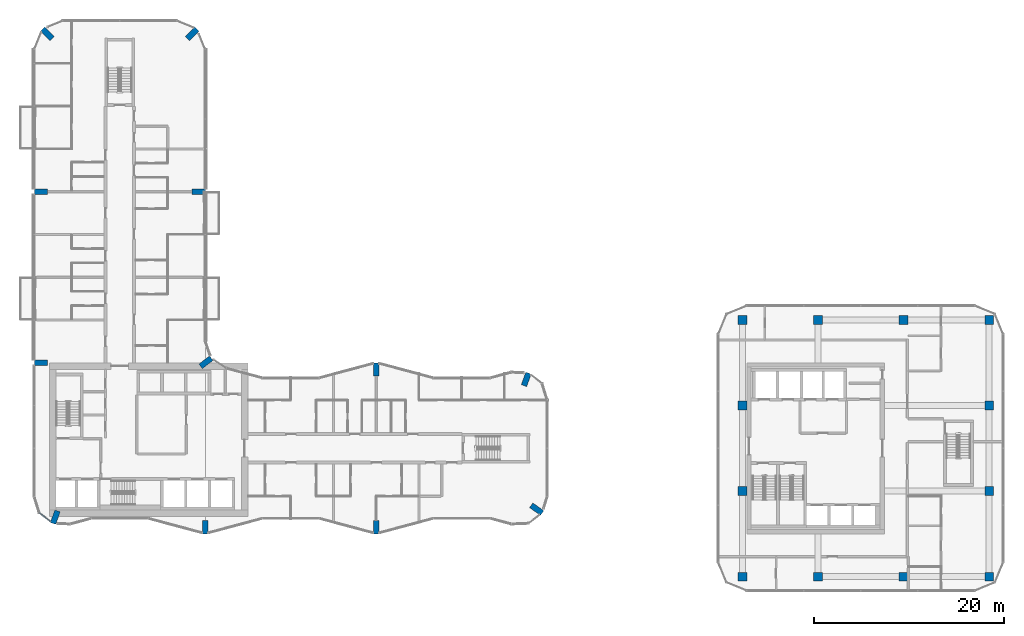
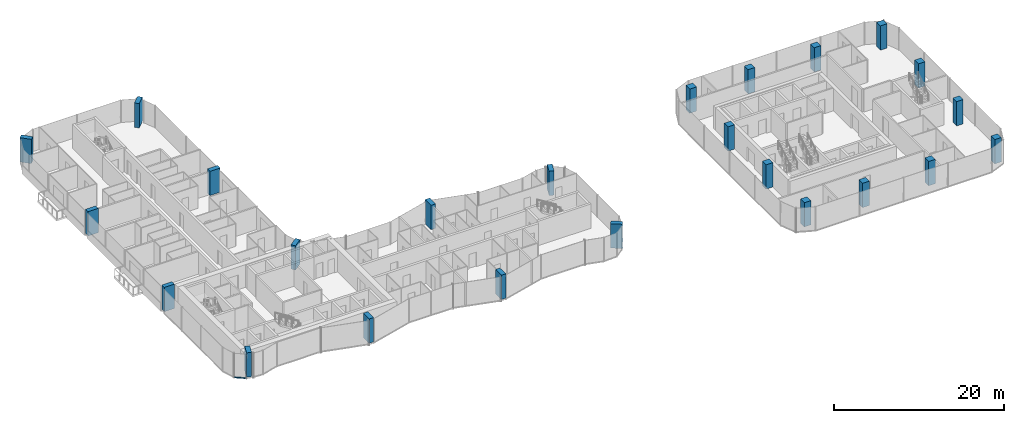
# One storey, part 1 of 23: 24 columns, 1 member, 1 element without a shape of its own.
"""IFC4 building model written with IfcOpenShell, lengths in metres."""

import ifcopenshell
import ifcopenshell.guid

model = None  # the IFC model being written
_history = None  # IfcOwnerHistory: only IFC2X3 demands one
_inside = {}  # id of a spatial element -> (the spatial element, [elements in it])
_under = {}  # id of a project, library or spatial element -> (it, [spatial elements below it])
_declared = {}  # id of a project -> (the project, [libraries it declares])
_typed = {}  # id of a type object -> (the type object, [elements of that type])
_made_of = {}  # id of a material, layer set ... -> (it, [elements and type objects made of it])


def new_model(schema):
    """Start an empty IFC model of exactly this schema.

    Asked for "IFC4X3", IfcOpenShell would pick the latest addendum, in which some entities
    have other attributes; the version numbers below select the first issue.
    IFC2X3 requires an IfcOwnerHistory on every rooted entity: one is made here for all.
    """
    global model, _history
    if schema == "IFC4X3":
        model = ifcopenshell.file(schema_version=(4, 3, 0, 0))
    else:
        model = ifcopenshell.file(schema=schema)
    _inside.clear()
    _under.clear()
    _declared.clear()
    _typed.clear()
    _made_of.clear()
    _history = None
    if model.schema == "IFC2X3":
        org = make("IfcOrganization", Name="unknown")
        user = make(
            "IfcPersonAndOrganization",
            ThePerson=make("IfcPerson", FamilyName="unknown"),
            TheOrganization=org,
        )
        app = make(
            "IfcApplication",
            ApplicationDeveloper=org,
            Version="unknown",
            ApplicationFullName="unknown",
            ApplicationIdentifier="unknown",
        )
        _history = make(
            "IfcOwnerHistory",
            OwningUser=user,
            OwningApplication=app,
            ChangeAction="ADDED",
            CreationDate=0,
        )
    return model


def make(cls, **values):
    """One entity of the class cls with the attributes given. An attribute that is None is left unset."""
    return model.create_entity(
        cls, **{name: value for name, value in values.items() if value is not None}
    )


def rooted(cls, **values):
    """An entity with a GlobalId (a new one), such as an element, a storey or a relation."""
    return make(cls, GlobalId=ifcopenshell.guid.new(), OwnerHistory=_history, **values)


def si_unit(unit_type, name, prefix=None):
    """IfcSIUnit, for example si_unit("LENGTHUNIT", "METRE", prefix="MILLI")."""
    return make("IfcSIUnit", UnitType=unit_type, Prefix=prefix, Name=name)


def assignment(units):
    """IfcUnitAssignment: the units of a project."""
    return None if units is None else make("IfcUnitAssignment", Units=units)


def point(xyz):
    """IfcCartesianPoint."""
    return None if xyz is None else make("IfcCartesianPoint", Coordinates=xyz)


def direction(xyz):
    """IfcDirection."""
    return None if xyz is None else make("IfcDirection", DirectionRatios=xyz)


def frame(location, z_axis=None, x_axis=None):
    """IfcAxis2Placement3D, a coordinate frame: its origin and axes. An axis left out is left unset."""
    return make(
        "IfcAxis2Placement3D",
        Location=point(location),
        Axis=direction(z_axis),
        RefDirection=direction(x_axis),
    )


def frame_2d(location, x_axis=None):
    """IfcAxis2Placement2D, a coordinate frame in the plane: its origin and x axis."""
    return make(
        "IfcAxis2Placement2D", Location=point(location), RefDirection=direction(x_axis)
    )


def origin():
    """The frame at (0, 0, 0) with its axes left unset."""
    return frame((0.0, 0.0, 0.0))


def origin_2d():
    """The frame at (0, 0) in the plane with its x axis left unset."""
    return frame_2d((0.0, 0.0))


def place(relative_to, where):
    """IfcLocalPlacement: puts the frame where relative to a parent placement (None: the world)."""
    return make(
        "IfcLocalPlacement", PlacementRelTo=relative_to, RelativePlacement=where
    )


def context(
    kind, dimensions, precision=None, world=None, true_north=None, identifier=None
):
    """IfcGeometricRepresentationContext, for example the 3D "Model" context."""
    return make(
        "IfcGeometricRepresentationContext",
        ContextIdentifier=identifier,
        ContextType=kind,
        CoordinateSpaceDimension=dimensions,
        Precision=precision,
        WorldCoordinateSystem=world,
        TrueNorth=true_north,
    )


def subcontext(parent, identifier, kind, view, scale=None):
    """IfcGeometricRepresentationSubContext, for example "Body" below "Model"."""
    return make(
        "IfcGeometricRepresentationSubContext",
        ContextIdentifier=identifier,
        ContextType=kind,
        ParentContext=parent,
        TargetScale=scale,
        TargetView=view,
    )


def project(units=None, contexts=None):
    """IfcProject with its units and contexts."""
    return rooted(
        "IfcProject",
        Name="project",
        RepresentationContexts=contexts,
        UnitsInContext=assignment(units),
    )


def spatial(cls, under=None, at=None, **own):
    """A site, building, storey or space (cls), placed at a placement, below another one or the project."""
    s = rooted(cls, ObjectPlacement=at, **own)
    if under is not None:
        _under.setdefault(under.id(), (under, []))[1].append(s)
    return s


def profile(cls, at=None, kind="AREA", **sizes):
    """A parametric profile (cls). Its sizes go by their IFC names, for example OverallWidth=200.0."""
    return make(cls, ProfileType=kind, Position=at, **sizes)


def rectangle(**sizes):
    """IfcRectangleProfileDef."""
    return profile("IfcRectangleProfileDef", **sizes)


def extrude(swept, where, along, depth):
    """IfcExtrudedAreaSolid: the profile swept, set in the frame where, extruded along a direction by depth."""
    return make(
        "IfcExtrudedAreaSolid",
        SweptArea=swept,
        Position=where,
        ExtrudedDirection=direction(along),
        Depth=depth,
    )


def shape(context_of_items, identifier, shape_type, items):
    """IfcShapeRepresentation: the items that make up one representation, for example the "Body"."""
    return make(
        "IfcShapeRepresentation",
        ContextOfItems=context_of_items,
        RepresentationIdentifier=identifier,
        RepresentationType=shape_type,
        Items=items,
    )


def material(Name=None, Category=None):
    """IfcMaterial."""
    return make("IfcMaterial", Name=Name, Category=Category)


def layer(
    of_material, thickness, ventilated=None, Name=None, Category=None, Priority=None
):
    """IfcMaterialLayer: one layer of a wall or slab, of a material (None: an air gap)."""
    return make(
        "IfcMaterialLayer",
        Material=of_material,
        LayerThickness=thickness,
        IsVentilated=ventilated,
        Name=Name,
        Category=Category,
        Priority=Priority,
    )


def layer_set(layers, Name=None):
    """IfcMaterialLayerSet."""
    return make("IfcMaterialLayerSet", MaterialLayers=layers, LayerSetName=Name)


def material_profile(
    of_material, cross_section, Name=None, Category=None, Priority=None
):
    """IfcMaterialProfile: a cross section and its material."""
    return make(
        "IfcMaterialProfile",
        Name=Name,
        Material=of_material,
        Profile=cross_section,
        Priority=Priority,
        Category=Category,
    )


def profile_set(profiles, Name=None, composite=None):
    """IfcMaterialProfileSet."""
    return make(
        "IfcMaterialProfileSet",
        Name=Name,
        MaterialProfiles=profiles,
        CompositeProfile=composite,
    )


def made_of(thing, what):
    """Note that an element or type object is made of a material, layer set ...; save() writes the relation."""
    if what is not None:
        _made_of.setdefault(what.id(), (what, []))[1].append(thing)
    return thing


def type_object(cls, material=None, **own):
    """A type object (cls), such as IfcWallType, which elements share."""
    return made_of(rooted(cls, **own), material)


def element(
    cls,
    number,
    at=None,
    inside=None,
    cuts=None,
    type_object=None,
    material=None,
    context=None,
    identifier="Body",
    shape_type=None,
    held_by="IfcProductDefinitionShape",
    body=None,
    shapes=None,
    **own,
):
    """One element of the class cls, such as IfcWall. Its Tag is "e" and its number.

    at: its placement. inside: the storey or other place that contains it. cuts: it is an
    opening in that element (IfcRelVoidsElement). A single representation is given by context,
    identifier, shape_type and body (its items); several are given by shapes. held_by: the class
    of the entity that holds the representations. save() writes the other relations.
    """
    e = rooted(cls, Tag="e%d" % number, ObjectPlacement=at, **own)
    if body is not None:
        shapes = [shape(context, identifier, shape_type, body)]
    if shapes is not None:
        e.Representation = make(held_by, Representations=shapes)
    if inside is not None:
        _inside.setdefault(inside.id(), (inside, []))[1].append(e)
    if cuts is not None:
        rooted(
            "IfcRelVoidsElement", RelatingBuildingElement=cuts, RelatedOpeningElement=e
        )
    if type_object is not None:
        _typed.setdefault(type_object.id(), (type_object, []))[1].append(e)
    return made_of(e, material)


def aggregate(whole, parts):
    """IfcRelAggregates: a whole, such as a stair, and the parts it consists of."""
    return rooted("IfcRelAggregates", RelatingObject=whole, RelatedObjects=parts)


def save(model, path):
    """Write the relations noted so far, then the file.

    IfcRelAggregates (storeys below a building ...), IfcRelContainedInSpatialStructure (elements
    in a storey), IfcRelDefinesByType, IfcRelAssociatesMaterial and IfcRelDeclares: one each for
    every whole, place, type object, material and project.
    """
    for whole, parts in _under.values():
        aggregate(whole, parts)
    for where, things in _inside.values():
        rooted(
            "IfcRelContainedInSpatialStructure",
            RelatedElements=things,
            RelatingStructure=where,
        )
    for kind, things in _typed.values():
        rooted("IfcRelDefinesByType", RelatedObjects=things, RelatingType=kind)
    for what, things in _made_of.values():
        rooted("IfcRelAssociatesMaterial", RelatedObjects=things, RelatingMaterial=what)
    for by, libraries in _declared.values():
        rooted("IfcRelDeclares", RelatingContext=by, RelatedDefinitions=libraries)
    model.write(path)


model = new_model("IFC4")

# Units and contexts
model_context = context("Model", 3, precision=1e-05, world=origin(), true_north=direction((0.0, 1.0)))
body_context = subcontext(model_context, "Body", "Model", "MODEL_VIEW")
ifc_project = project(units=[si_unit("LENGTHUNIT", "METRE"), si_unit("AREAUNIT", "SQUARE_METRE"), si_unit("VOLUMEUNIT", "CUBIC_METRE"), si_unit("PLANEANGLEUNIT", "RADIAN"), si_unit("MASSUNIT", "GRAM", prefix="KILO")], contexts=[model_context])

# Site, building, storey
site_placement = place(None, origin())
site = spatial("IfcSite", under=ifc_project, at=site_placement, CompositionType="ELEMENT")
building_placement = place(site_placement, origin())
building = spatial("IfcBuilding", under=site, at=building_placement, Name="Plateau Cross Towers", CompositionType="ELEMENT")
storey_placement = place(building_placement, frame((0.0, 0.0, 81.800048828125)))
storey = spatial("IfcBuildingStorey", under=building, at=storey_placement, Name="L20", CompositionType="ELEMENT", Elevation=81.800048828125)

# Columns
ifc_material_1 = material(Name="Concrete C60/75", Category="concrete")
ifc_material_profile_1 = material_profile(ifc_material_1, rectangle(XDim=0.60009765625, YDim=1.39990234375, at=origin_2d()), Name="RC 600x1400")
ifc_profile_set_1 = profile_set([ifc_material_profile_1], Name="Concrete C60/75")
column_type_1 = type_object("IfcColumnType", Name="Fin pier column RC 600x1400", PredefinedType="COLUMN", material=ifc_profile_set_1)
for number, where, z_axis, x_axis, name in (
    (1, (18.0, 0.699951171875, 0.0), (0.0, 0.0, 1.0), (1.0, 0.0, 0.0), "PR1 L20"),
    (2, (36.0, 0.699951171875, 0.0), (0.0, 0.0, 1.0), (1.0, 0.0, 0.0), "PR2 L20"),
    (3, (52.884033203125, 2.590087890625, 0.0), (0.0, 0.0, 1.0), (0.573542637991, 0.819175709117, 0.0), "PR3 L20"),
    (4, (51.786865234375, 16.251953125, 0.0), (0.0, 0.0, 1.0), (-0.939664280925, 0.342097996418, 0.0), "PR4 L20"),
    (5, (36.0, 17.300048828125, 0.0), (0.0, 0.0, 1.0), (1.0, 0.0, 0.0), "PR5 L20"),
    (6, (18.064697265625, 18.049560546875, 0.0), (0.0, 0.0, 1.0), (-0.608810846443, 0.793315418515, 0.0), "PR6 L20"),
    (7, (17.300048828125, 36.0, 0.0), (0.0, 0.0, 1.0), (0.0, 1.0, 0.0), "PR7 L20"),
    (8, (16.62646484375, 52.62646484375, 0.0), (0.0, 0.0, 1.0), (-0.707106781187, 0.707106781187, 0.0), "PR8 L20"),
    (9, (1.37353515625, 52.62646484375, 0.0), (0.0, 0.0, 1.0), (0.707106781187, 0.707106781187, 0.0), "PR9 L20"),
    (10, (0.699951171875, 36.0, 0.0), (0.0, 0.0, 1.0), (0.0, 1.0, 0.0), "PR10 L20"),
    (11, (0.699951171875, 18.0, 0.0), (0.0, 0.0, 1.0), (0.0, 1.0, 0.0), "PR11 L20"),
    (12, (2.213134765625, 1.748046875, 0.0), (0.0, 0.0, 1.0), (-0.939664280925, 0.342097996418, 0.0), "PR12 L20"),
):
    element("IfcColumn", number, at=place(storey_placement, frame(where, z_axis=z_axis, x_axis=x_axis)), inside=storey, type_object=column_type_1, Name=name, PredefinedType="COLUMN", context=body_context, shape_type="SweptSolid", body=[
        extrude(rectangle(XDim=0.60009765625, YDim=1.39990234375, at=origin_2d()), origin(), (0.0, 0.0, 1.0), 3.5),
    ])
ifc_material_profile_2 = material_profile(ifc_material_1, rectangle(XDim=0.89990234375, YDim=0.89990234375, at=origin_2d()), Name="RC 900x900")
ifc_profile_set_2 = profile_set([ifc_material_profile_2], Name="Concrete C60/75")
column_type_2 = type_object("IfcColumnType", Name="Office column RC 900x900", PredefinedType="COLUMN", material=ifc_profile_set_2)
for number, where, z_axis, x_axis, name in (
    (13, (74.550048828125, -4.5, 0.0), (0.0, 0.0, 1.0), (1.0, 0.0, 0.0), "B-C746_-45 L20"),
    (14, (82.5, -4.5, 0.0), (0.0, 0.0, 1.0), (1.0, 0.0, 0.0), "B-C825_-45 L20"),
    (15, (91.5, -4.5, 0.0), (0.0, 0.0, 1.0), (1.0, 0.0, 0.0), "B-C915_-45 L20"),
    (16, (100.5, -4.5, 0.0), (0.0, 0.0, 1.0), (1.0, 0.0, 0.0), "B-C1005_-45 L20"),
    (17, (100.5, 4.5, 0.0), (0.0, 0.0, 1.0), (1.0, 0.0, 0.0), "B-C1005_45 L20"),
    (18, (100.5, 13.5, 0.0), (0.0, 0.0, 1.0), (1.0, 0.0, 0.0), "B-C1005_135 L20"),
    (19, (100.5, 22.5, 0.0), (0.0, 0.0, 1.0), (1.0, 0.0, 0.0), "B-C1005_225 L20"),
    (20, (91.5, 22.5, 0.0), (0.0, 0.0, 1.0), (1.0, 0.0, 0.0), "B-C915_225 L20"),
    (21, (82.5, 22.5, 0.0), (0.0, 0.0, 1.0), (1.0, 0.0, 0.0), "B-C825_225 L20"),
    (22, (74.550048828125, 22.5, 0.0), (0.0, 0.0, 1.0), (1.0, 0.0, 0.0), "B-C746_225 L20"),
    (23, (74.550048828125, 13.5, 0.0), (0.0, 0.0, 1.0), (1.0, 0.0, 0.0), "B-C746_135 L20"),
    (24, (74.550048828125, 4.5, 0.0), (0.0, 0.0, 1.0), (1.0, 0.0, 0.0), "B-C746_45 L20"),
):
    element("IfcColumn", number, at=place(storey_placement, frame(where, z_axis=z_axis, x_axis=x_axis)), inside=storey, type_object=column_type_2, Name=name, PredefinedType="COLUMN", context=body_context, shape_type="SweptSolid", body=[
        extrude(rectangle(XDim=0.89990234375, YDim=0.89990234375, at=origin_2d()), origin(), (0.0, 0.0, 1.0), 3.5),
    ])

# Curtain wall, member
ifc_material_2 = material(Name="Dark low-iron glass", Category="glass")
ifc_layer = layer(ifc_material_2, 0.239990234375)
ifc_layer_set = layer_set([ifc_layer], Name="Dark low-iron glass")
curtain_wall_type = type_object("IfcCurtainWallType", Name="Curtain wall flush unitised CW-B", PredefinedType="NOTDEFINED", material=ifc_layer_set)
curtain_wall_placement = place(storey_placement, origin())
curtain_wall = element("IfcCurtainWall", 25, at=curtain_wall_placement, inside=storey, type_object=curtain_wall_type, Name="ENV/A/L20/A5_22", PredefinedType="NOTDEFINED")
ifc_material_3 = material(Name="Black anodised aluminium", Category="aluminium")
ifc_material_profile_3 = material_profile(ifc_material_3, rectangle(XDim=0.10009765625, YDim=0.1201171875, at=origin_2d()), Name="TRANSOM 100x120")
ifc_profile_set_3 = profile_set([ifc_material_profile_3], Name="Black anodised aluminium")
member_type = type_object("IfcMemberType", Name="Transom 100x120 flush unitised", PredefinedType="USERDEFINED", material=ifc_profile_set_3)
member_placement = place(storey_placement, frame((0.54248046875, 2.1884765625, -0.18994140625), z_axis=(0.793320508571, -0.608804213751, 0.0), x_axis=(0.608804213751, 0.793320508571, 0.0)))
member = element("IfcMember", 26, at=member_placement, type_object=member_type, Name="CW-B transom", ObjectType="TRANSOM", PredefinedType="USERDEFINED", context=body_context, shape_type="SweptSolid", body=[
    extrude(rectangle(XDim=0.10009765625, YDim=0.1201171875, at=origin_2d()), origin(), (0.0, 0.0, 1.0), 1.471435546875),
])
aggregate(curtain_wall, [member])

save(model, "model.ifc")
